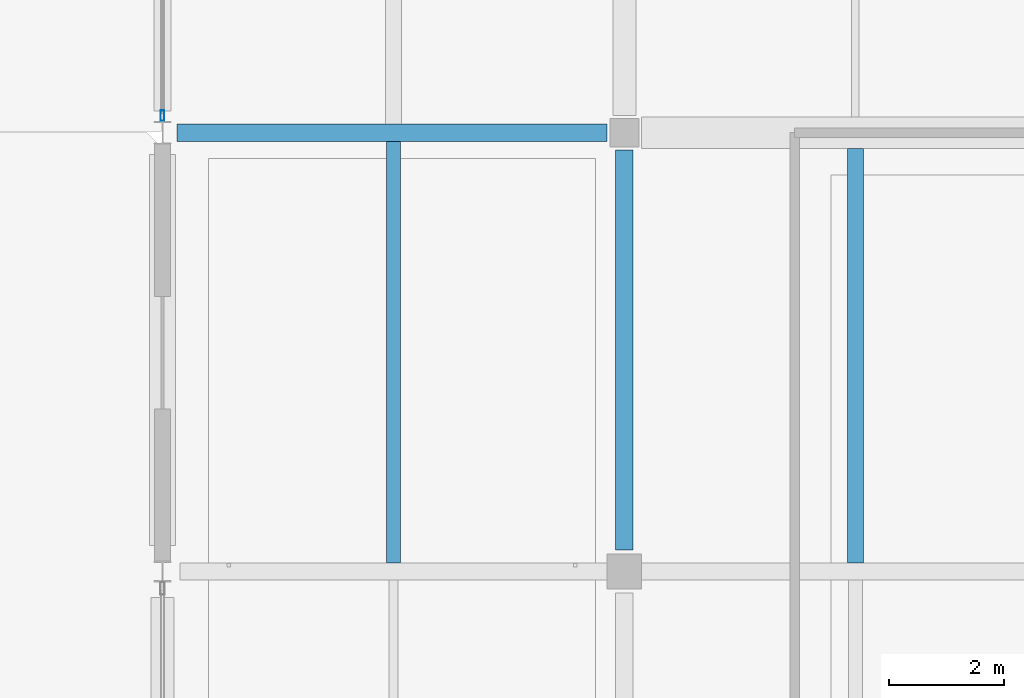
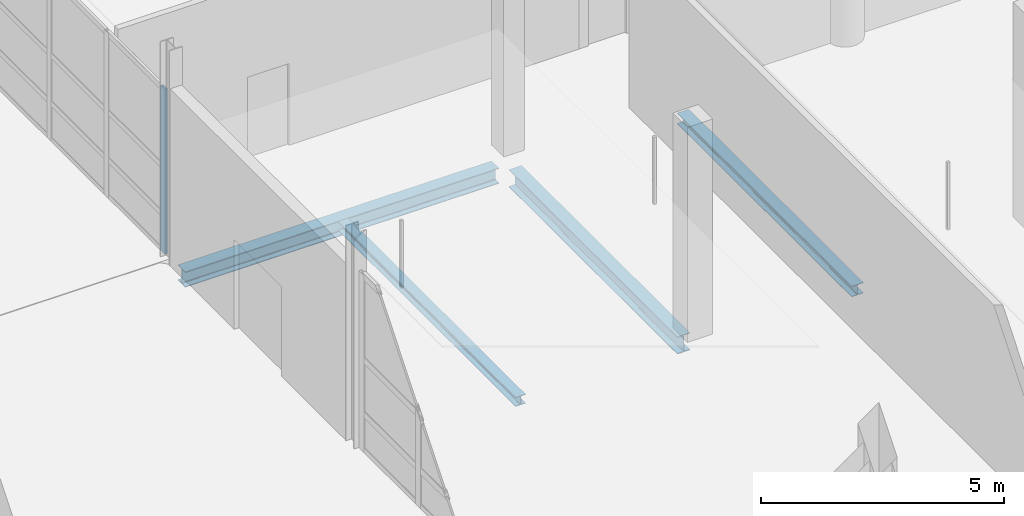
# One storey, part 33 of 126: 4 beams, 1 member, 1 element without a shape of its own.
"""IFC4 building model written with IfcOpenShell, lengths in metres."""

from ifc_helpers import new_model, si_unit, direction, frame, origin, origin_2d, place, context, subcontext, project, spatial, hollow_rectangle, i_section, extrude, material, material_profile, profile_set, type_object, element, aggregate, save


model = new_model("IFC4")

# Units and contexts
model_context = context("Model", 3, precision=1e-05, world=origin(), true_north=direction((0.0, 1.0)))
body_context = subcontext(model_context, "Body", "Model", "MODEL_VIEW")
ifc_project = project(units=[si_unit("LENGTHUNIT", "METRE"), si_unit("AREAUNIT", "SQUARE_METRE"), si_unit("VOLUMEUNIT", "CUBIC_METRE"), si_unit("PLANEANGLEUNIT", "RADIAN"), si_unit("MASSUNIT", "GRAM", prefix="KILO")], contexts=[model_context])

# Site, building, storey
site_placement = place(None, origin())
site = spatial("IfcSite", under=ifc_project, at=site_placement, CompositionType="ELEMENT")
building_placement = place(site_placement, origin())
building = spatial("IfcBuilding", under=site, at=building_placement, Name="Khelvaren Railside Concert Hall", CompositionType="ELEMENT")
storey_placement = place(building_placement, origin())
storey = spatial("IfcBuildingStorey", under=building, at=storey_placement, Name="L00", CompositionType="ELEMENT", Elevation=0.0)

# Beams
ifc_material_1 = material(Name="Steel S355", Category="steel")
ifc_material_profile_1 = material_profile(ifc_material_1, i_section(OverallWidth=0.300048828125, OverallDepth=0.389892578125, WebThickness=0.010986328125, FlangeThickness=0.01904296875, FilletRadius=0.027099609375, at=origin_2d()), Name="HEA 400")
ifc_profile_set_1 = profile_set([ifc_material_profile_1], Name="Steel S355")
beam_type_1 = type_object("IfcBeamType", Name="BM23", PredefinedType="BEAM", material=ifc_profile_set_1)
beam_1_placement = place(storey_placement, frame((144.25, 22.800048828125, -0.514892578125), z_axis=(1.0, 0.0, 0.0), x_axis=(0.0, 1.0, 0.0)))
element("IfcBeam", 1, at=beam_1_placement, inside=storey, type_object=beam_type_1, Name="V2 L00 Beam X4.1", PredefinedType="BEAM", context=body_context, shape_type="SweptSolid", body=[
    extrude(i_section(OverallWidth=0.300048828125, OverallDepth=0.389892578125, WebThickness=0.010986328125, FlangeThickness=0.01904296875, FilletRadius=0.027099609375, at=origin_2d()), origin(), (0.0, 0.0, 1.0), 7.449951171875),
])
ifc_material_profile_2 = material_profile(ifc_material_1, i_section(OverallWidth=0.300048828125, OverallDepth=0.43994140625, WebThickness=0.011474609375, FlangeThickness=0.02099609375, FilletRadius=0.027099609375, at=origin_2d()), Name="HEA 450")
ifc_profile_set_2 = profile_set([ifc_material_profile_2], Name="Steel S355")
beam_type_2 = type_object("IfcBeamType", Name="BM89", PredefinedType="BEAM", material=ifc_profile_set_2)
beam_2_placement = place(storey_placement, frame((152.0, 15.574951171875, -0.5400390625), z_axis=(0.0, 1.0, 0.0), x_axis=(-1.0, 0.0, 0.0)))
element("IfcBeam", 2, at=beam_2_placement, inside=storey, type_object=beam_type_2, Name="V2 L00 Beam Y2.3", PredefinedType="BEAM", context=body_context, shape_type="SweptSolid", body=[
    extrude(i_section(OverallWidth=0.300048828125, OverallDepth=0.43994140625, WebThickness=0.011474609375, FlangeThickness=0.02099609375, FilletRadius=0.027099609375, at=origin_2d()), origin(), (0.0, 0.0, 1.0), 6.925048828125),
])

# Curtain wall, member
ifc_material_2 = material(Name="Double-glazed low-E dark acoustic glass", Category="glass")
curtain_wall_type = type_object("IfcCurtainWallType", Name="CW94", PredefinedType="USERDEFINED", material=ifc_material_2)
curtain_wall_placement = place(storey_placement, origin())
curtain_wall = element("IfcCurtainWall", 3, at=curtain_wall_placement, inside=storey, type_object=curtain_wall_type, Name="Unitised Curtain Wall CW-V2-L00-W-23", ObjectType="UNITISED CURTAIN WALL", PredefinedType="USERDEFINED")
ifc_material_3 = material(Name="Anodised architectural aluminium 6063-T6", Category="aluminium")
ifc_material_profile_3 = material_profile(ifc_material_3, hollow_rectangle(XDim=0.06494140625, YDim=0.179931640625, WallThickness=0.00390625, InnerFilletRadius=0.001953125, OuterFilletRadius=0.00390625, at=origin_2d()), Name="CWM 65x180x4")
ifc_profile_set_3 = profile_set([ifc_material_profile_3], Name="Anodised architectural aluminium 6063-T6")
member_type = type_object("IfcMemberType", Name="CWM63", PredefinedType="MULLION", material=ifc_profile_set_3)
member_placement = place(storey_placement, frame((144.0, 23.094970703125, 0.0), z_axis=(0.0, 0.0, 1.0), x_axis=(-1.0, 0.0, 0.0)))
member = element("IfcMember", 4, at=member_placement, type_object=member_type, Name="CW94 mullion 1", PredefinedType="MULLION", context=body_context, shape_type="SweptSolid", body=[
    extrude(hollow_rectangle(XDim=0.06494140625, YDim=0.179931640625, WallThickness=0.00390625, InnerFilletRadius=0.001953125, OuterFilletRadius=0.00390625, at=origin_2d()), origin(), (0.0, 0.0, 1.0), 4.139892578125),
])
aggregate(curtain_wall, [member])

# Beams
ifc_material_profile_4 = material_profile(ifc_material_1, i_section(OverallWidth=0.280029296875, OverallDepth=0.27001953125, WebThickness=0.008056640625, FlangeThickness=0.012939453125, FilletRadius=0.02392578125, at=origin_2d()), Name="HEA 280")
ifc_profile_set_4 = profile_set([ifc_material_profile_4], Name="Steel S355")
beam_type_3 = type_object("IfcBeamType", Name="JS46", PredefinedType="JOIST", material=ifc_profile_set_4)
beam_3_placement = place(storey_placement, frame((156.0, 15.35009765625, -0.455078125), z_axis=(0.0, 1.0, 0.0), x_axis=(-1.0, 0.0, 0.0)))
element("IfcBeam", 5, at=beam_3_placement, inside=storey, type_object=beam_type_3, Name="V2 L00 Secondary Joist 2.3", PredefinedType="JOIST", context=body_context, shape_type="SweptSolid", body=[
    extrude(i_section(OverallWidth=0.280029296875, OverallDepth=0.27001953125, WebThickness=0.008056640625, FlangeThickness=0.012939453125, FilletRadius=0.02392578125, at=origin_2d()), origin(), (0.0, 0.0, 1.0), 7.1748046875),
])
ifc_material_profile_5 = material_profile(ifc_material_1, i_section(OverallWidth=0.239990234375, OverallDepth=0.22998046875, WebThickness=0.007568359375, FlangeThickness=0.011962890625, FilletRadius=0.02099609375, at=origin_2d()), Name="HEA 240")
ifc_profile_set_5 = profile_set([ifc_material_profile_5], Name="Steel S355")
beam_type_4 = type_object("IfcBeamType", Name="JS76", PredefinedType="JOIST", material=ifc_profile_set_5)
beam_4_placement = place(storey_placement, frame((148.0, 15.35009765625, -0.43505859375), z_axis=(0.0, 1.0, 0.0), x_axis=(-1.0, 0.0, 0.0)))
element("IfcBeam", 6, at=beam_4_placement, inside=storey, type_object=beam_type_4, Name="V2 L00 Secondary Joist 1.3", PredefinedType="JOIST", context=body_context, shape_type="SweptSolid", body=[
    extrude(i_section(OverallWidth=0.239990234375, OverallDepth=0.22998046875, WebThickness=0.007568359375, FlangeThickness=0.011962890625, FilletRadius=0.02099609375, at=origin_2d()), origin(), (0.0, 0.0, 1.0), 7.2998046875),
])

save(model, "model.ifc")
